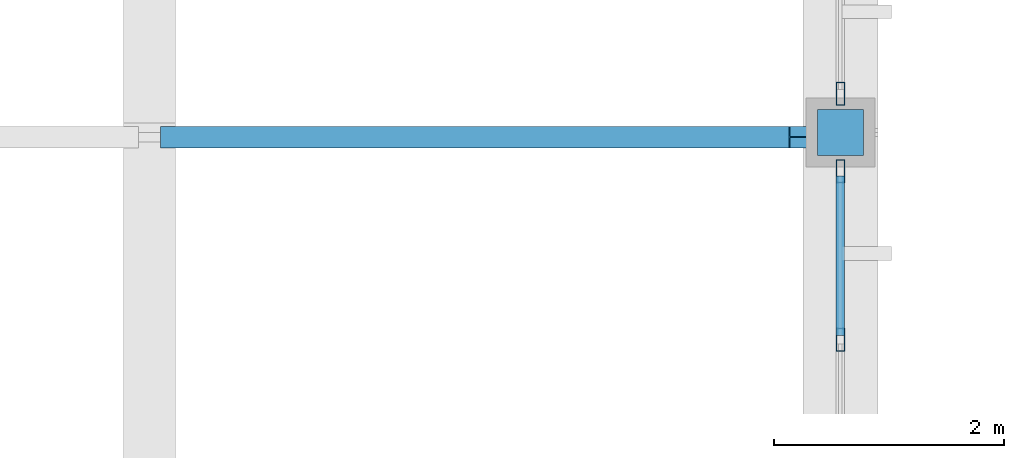
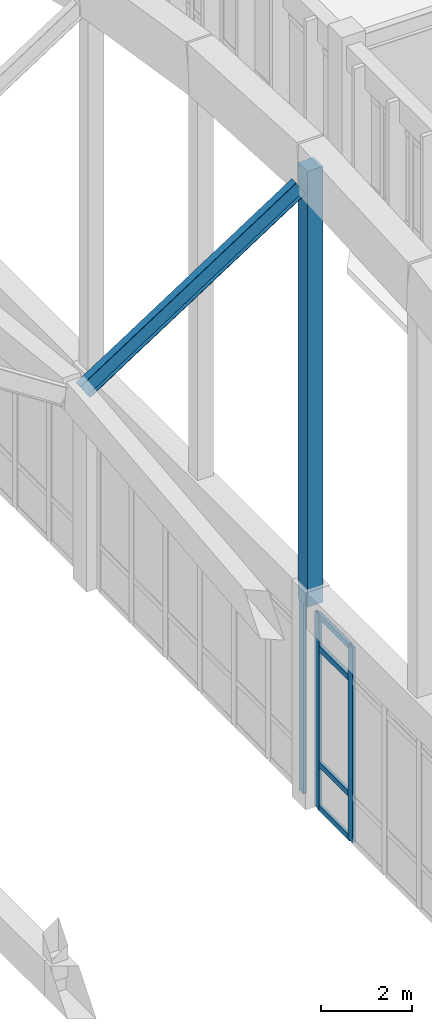
# One storey, part 139 of 236: 8 members, 1 beam, 2 elements without a shape of their own.
"""IFC4 building model written with IfcOpenShell, lengths in metres."""

from ifc_helpers import new_model, si_unit, direction, frame, origin, origin_2d, place, context, subcontext, project, spatial, rectangle, hollow_rectangle, i_section, extrude, material, layer, layer_set, material_profile, profile_set, type_object, element, aggregate, save


model = new_model("IFC4")

# Units and contexts
model_context = context("Model", 3, precision=1e-05, world=origin(), true_north=direction((0.0, 1.0)))
body_context = subcontext(model_context, "Body", "Model", "MODEL_VIEW")
ifc_project = project(units=[si_unit("LENGTHUNIT", "METRE"), si_unit("AREAUNIT", "SQUARE_METRE"), si_unit("VOLUMEUNIT", "CUBIC_METRE"), si_unit("PLANEANGLEUNIT", "RADIAN"), si_unit("MASSUNIT", "GRAM", prefix="KILO")], contexts=[model_context])

# Site, building, storey
site_placement = place(None, origin())
site = spatial("IfcSite", under=ifc_project, at=site_placement, CompositionType="ELEMENT")
building_placement = place(site_placement, origin())
building = spatial("IfcBuilding", under=site, at=building_placement, Name="Pandanus Reach Market Hall", CompositionType="ELEMENT")
storey_placement = place(building_placement, frame((0.0, 0.0, 5.39990234375)))
storey = spatial("IfcBuildingStorey", under=building, at=storey_placement, Name="L01", CompositionType="ELEMENT", Elevation=5.39990234375)

# Member
ifc_material_1 = material(Name="Concrete N50 (50 MPa)", Category="concrete")
ifc_material_profile_1 = material_profile(ifc_material_1, rectangle(XDim=0.39990234375, YDim=0.39990234375, at=origin_2d()), Name="RC400x400", Category="LoadBearing")
ifc_profile_set_1 = profile_set([ifc_material_profile_1], Name="Concrete N50 (50 MPa)")
member_type_1 = type_object("IfcMemberType", Name="AR-WEB400-E", PredefinedType="STRUT", material=ifc_profile_set_1)
member_1_placement = place(storey_placement, frame((132.0, 57.60009765625, 5.3251953125), z_axis=(0.0, 0.0, 1.0), x_axis=(1.0, 0.0, 0.0)))
element("IfcMember", 1, at=member_1_placement, inside=storey, type_object=member_type_1, Name="Arch truss vertical web strut A8.6", PredefinedType="STRUT", context=body_context, shape_type="SweptSolid", body=[
    extrude(rectangle(XDim=0.39990234375, YDim=0.39990234375, at=origin_2d()), origin(), (0.0, 0.0, 1.0), 11.65478515625),
])

# Beam
ifc_material_2 = material(Name="Steel Grade 350 (350 MPa)", Category="steel")
ifc_material_profile_2 = material_profile(ifc_material_2, i_section(OverallWidth=0.18994140625, OverallDepth=0.45703125, WebThickness=0.009033203125, FlangeThickness=0.014404296875, at=origin_2d()), Name="460UB74.6", Category="LoadBearing")
ifc_profile_set_2 = profile_set([ifc_material_profile_2], Name="Steel Grade 350 (350 MPa)")
beam_type = type_object("IfcBeamType", Name="BM-UB460-I", PredefinedType="BEAM", material=ifc_profile_set_2)
beam_placement = place(storey_placement, frame((126.219970703125, 57.56005859375, 12.989990234375), z_axis=(0.839070527962, 0.0, 0.544022654956), x_axis=(0.0, 1.0, 0.0)))
element("IfcBeam", 2, at=beam_placement, inside=storey, type_object=beam_type, Name="Butterfly transverse rib B7.4R", PredefinedType="BEAM", context=body_context, shape_type="SweptSolid", body=[
    extrude(i_section(OverallWidth=0.18994140625, OverallDepth=0.45703125, WebThickness=0.009033203125, FlangeThickness=0.014404296875, at=origin_2d()), origin(), (0.0, 0.0, 1.0), 6.507080078125),
])

# Curtain wall, members
ifc_material_3 = material(Name="Bronze anodised aluminium and low-E glass", Category="aluminium")
ifc_layer = layer(ifc_material_3, 0.199951171875, Name="CW-05")
ifc_layer_set = layer_set([ifc_layer], Name="Bronze anodised aluminium and low-E glass")
curtain_wall_type = type_object("IfcCurtainWallType", Name="CW-05", PredefinedType="NOTDEFINED", material=ifc_layer_set)
curtain_wall_1_placement = place(storey_placement, origin())
curtain_wall_1 = element("IfcCurtainWall", 3, at=curtain_wall_1_placement, inside=storey, type_object=curtain_wall_type, Name="Glazed curtain wall CW-05 CW-0027", PredefinedType="NOTDEFINED")
ifc_material_4 = material(Name="Bronze anodised aluminium", Category="aluminium")
ifc_material_profile_3 = material_profile(ifc_material_4, hollow_rectangle(XDim=0.074951171875, YDim=0.199951171875, WallThickness=0.00439453125, at=origin_2d()), Name="ALU75x200", Category="LoadBearing")
ifc_profile_set_3 = profile_set([ifc_material_profile_3], Name="Bronze anodised aluminium")
member_type_2 = type_object("IfcMemberType", Name="CW-M2", PredefinedType="MULLION", material=ifc_profile_set_3)
member_2_placement = place(storey_placement, frame((132.0, 55.800048828125, 0.0), z_axis=(0.0, 0.0, 1.0), x_axis=(-1.0, 0.0, 0.0)))
member_2 = element("IfcMember", 4, at=member_2_placement, type_object=member_type_2, Name="CW-05 mullion 6", PredefinedType="MULLION", context=body_context, shape_type="SweptSolid", body=[
    extrude(hollow_rectangle(XDim=0.074951171875, YDim=0.199951171875, WallThickness=0.00439453125, at=origin_2d()), origin(), (0.0, 0.0, 1.0), 5.2001953125),
])
member_3_placement = place(storey_placement, frame((132.0, 57.262451171875, 0.0), z_axis=(0.0, 0.0, 1.0), x_axis=(-1.0, 0.0, 0.0)))
member_3 = element("IfcMember", 5, at=member_3_placement, type_object=member_type_2, Name="CW-05 mullion 7", PredefinedType="MULLION", context=body_context, shape_type="SweptSolid", body=[
    extrude(hollow_rectangle(XDim=0.074951171875, YDim=0.199951171875, WallThickness=0.00439453125, at=origin_2d()), origin(), (0.0, 0.0, 1.0), 5.2001953125),
])

# Curtain wall, member
curtain_wall_2_placement = place(storey_placement, origin())
curtain_wall_2 = element("IfcCurtainWall", 6, at=curtain_wall_2_placement, inside=storey, type_object=curtain_wall_type, Name="Glazed curtain wall CW-05 CW-0031", PredefinedType="NOTDEFINED")
member_4_placement = place(storey_placement, frame((132.0, 57.9375, 0.0), z_axis=(0.0, 0.0, 1.0), x_axis=(-1.0, 0.0, 0.0)))
member_4 = element("IfcMember", 7, at=member_4_placement, type_object=member_type_2, Name="CW-05 mullion 1", PredefinedType="MULLION", context=body_context, shape_type="SweptSolid", body=[
    extrude(hollow_rectangle(XDim=0.074951171875, YDim=0.199951171875, WallThickness=0.00439453125, at=origin_2d()), origin(), (0.0, 0.0, 1.0), 5.2001953125),
])
aggregate(curtain_wall_2, [member_4])

# Member
ifc_material_profile_4 = material_profile(ifc_material_4, hollow_rectangle(XDim=0.074951171875, YDim=0.14990234375, WallThickness=0.00439453125, at=origin_2d()), Name="ALU75x150", Category="LoadBearing")
ifc_profile_set_4 = profile_set([ifc_material_profile_4], Name="Bronze anodised aluminium")
member_type_3 = type_object("IfcMemberType", Name="CW-T2", PredefinedType="USERDEFINED", material=ifc_profile_set_4)
member_5_placement = place(storey_placement, frame((132.0, 55.83740234375, 0.03759765625), z_axis=(0.0, 1.0, 0.0), x_axis=(-1.0, 0.0, 0.0)))
member_5 = element("IfcMember", 8, at=member_5_placement, type_object=member_type_3, Name="CW-05 transom 6.1", ObjectType="TRANSOM", PredefinedType="USERDEFINED", context=body_context, shape_type="SweptSolid", body=[
    extrude(hollow_rectangle(XDim=0.074951171875, YDim=0.14990234375, WallThickness=0.00439453125, at=origin_2d()), origin(), (0.0, 0.0, 1.0), 1.3876953125),
])

member_6_placement = place(storey_placement, frame((132.0, 55.83740234375, 1.2001953125), z_axis=(0.0, 1.0, 0.0), x_axis=(-1.0, 0.0, 0.0)))
member_6 = element("IfcMember", 9, at=member_6_placement, type_object=member_type_3, Name="CW-05 transom 6.2", ObjectType="TRANSOM", PredefinedType="USERDEFINED", context=body_context, shape_type="SweptSolid", body=[
    extrude(hollow_rectangle(XDim=0.074951171875, YDim=0.14990234375, WallThickness=0.00439453125, at=origin_2d()), origin(), (0.0, 0.0, 1.0), 1.3876953125),
])

member_7_placement = place(storey_placement, frame((132.0, 55.83740234375, 4.300048828125), z_axis=(0.0, 1.0, 0.0), x_axis=(-1.0, 0.0, 0.0)))
member_7 = element("IfcMember", 10, at=member_7_placement, type_object=member_type_3, Name="CW-05 transom 6.3", ObjectType="TRANSOM", PredefinedType="USERDEFINED", context=body_context, shape_type="SweptSolid", body=[
    extrude(hollow_rectangle(XDim=0.074951171875, YDim=0.14990234375, WallThickness=0.00439453125, at=origin_2d()), origin(), (0.0, 0.0, 1.0), 1.3876953125),
])

member_8_placement = place(storey_placement, frame((132.0, 55.83740234375, 5.16259765625), z_axis=(0.0, 1.0, 0.0), x_axis=(-1.0, 0.0, 0.0)))
member_8 = element("IfcMember", 11, at=member_8_placement, type_object=member_type_3, Name="CW-05 transom 6.4", ObjectType="TRANSOM", PredefinedType="USERDEFINED", context=body_context, shape_type="SweptSolid", body=[
    extrude(hollow_rectangle(XDim=0.074951171875, YDim=0.14990234375, WallThickness=0.00439453125, at=origin_2d()), origin(), (0.0, 0.0, 1.0), 1.3876953125),
])

aggregate(curtain_wall_1, [member_2, member_3, member_5, member_6, member_7, member_8])

save(model, "model.ifc")
